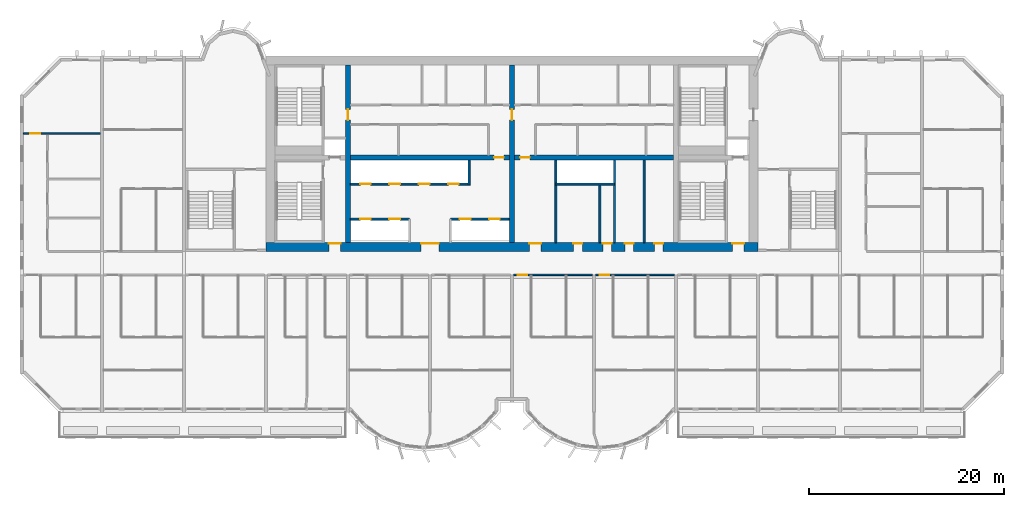
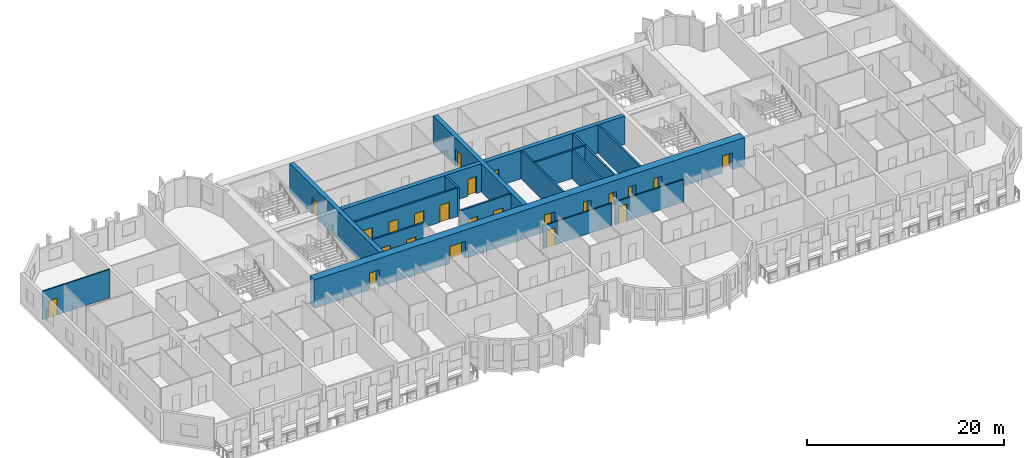
# One storey, part 6 of 15: 23 doors, 17 walls, 23 openings.
"""IFC4 building model written with IfcOpenShell, lengths in metres."""

from ifc_helpers import new_model, si_unit, direction, frame, frame_2d, origin, place, context, subcontext, project, spatial, rectangle, extrude, source, transform, mapped, material, layer, layer_set, type_object, element, fill, save


model = new_model("IFC4")

# Units and contexts
model_context = context("Model", 3, precision=1e-05, world=origin(), true_north=direction((0.0, 1.0)))
body_context = subcontext(model_context, "Body", "Model", "MODEL_VIEW")
ifc_project = project(units=[si_unit("LENGTHUNIT", "METRE"), si_unit("AREAUNIT", "SQUARE_METRE"), si_unit("VOLUMEUNIT", "CUBIC_METRE"), si_unit("PLANEANGLEUNIT", "RADIAN"), si_unit("MASSUNIT", "GRAM", prefix="KILO")], contexts=[model_context])

# Site, building, storey
site_placement = place(None, origin())
site = spatial("IfcSite", under=ifc_project, at=site_placement, CompositionType="ELEMENT")
building_placement = place(site_placement, origin())
building = spatial("IfcBuilding", under=site, at=building_placement, Name="Vanashikhar Sky Hotel", CompositionType="ELEMENT")
storey_placement = place(building_placement, frame((0.0, 0.0, 133.199951171875)))
storey = spatial("IfcBuildingStorey", under=building, at=storey_placement, Name="L32", CompositionType="ELEMENT", Elevation=133.199951171875)

# Wall, openings, doors
ifc_material_1 = material(Name="Concrete M70", Category="concrete")
ifc_layer_1 = layer(ifc_material_1, 0.89990234375)
ifc_layer_set_1 = layer_set([ifc_layer_1], Name="RC core shell wall 900 Concrete M70")
wall_type_1 = type_object("IfcWallType", Name="RC core shell wall 900 Concrete M70", PredefinedType="SHEAR", material=ifc_layer_set_1)
shared_shape_1 = source(origin(), body_context, "Body", "SweptSolid", [
    extrude(rectangle(XDim=50.400146484375, YDim=0.89990234375, at=frame_2d((25.2001953125, 0.0))), origin(), (0.0, 0.0, 1.0), 3.52001953125),
])
wall_1_placement = place(storey_placement, frame((25.199951171875, 22.449951171875, 0.0), z_axis=(0.0, 0.0, 1.0), x_axis=(1.0, 0.0, 0.0)))
wall_1 = element("IfcWall", 1, at=wall_1_placement, inside=storey, type_object=wall_type_1, Name="KW-L32-KS", PredefinedType="SHEAR", context=body_context, shape_type="MappedRepresentation", body=[
    mapped(shared_shape_1, transform((0.0, 0.0, 0.0), scale=1.0)),
])
shared_shape_2 = source(origin(), body_context, "Body", "SweptSolid", [
    extrude(rectangle(XDim=1.800048828125, YDim=2.10009765625, at=frame_2d((0.89990234375, 1.050048828125))), frame((0.0, 0.4599609375, 0.0), z_axis=(0.0, -1.0, 0.0), x_axis=(1.0, 0.0, 0.0)), (0.0, 0.0, 1.0), 0.919921875),
])
opening_1_placement = place(wall_1_placement, frame((15.89990234375, 0.0, 0.0)))
opening_1 = element("IfcOpeningElement", 2, at=opening_1_placement, cuts=wall_1, Name="Opening DC-3-A", PredefinedType="OPENING", context=body_context, shape_type="MappedRepresentation", body=[
    mapped(shared_shape_2, transform((0.0, 0.0, 0.0), scale=1.0)),
])
shared_shape_3 = source(origin(), body_context, "Body", "SweptSolid", [
    extrude(rectangle(XDim=1.199951171875, YDim=2.10009765625, at=frame_2d((0.60009765625, 1.050048828125))), frame((0.0, 0.4599609375, 0.0), z_axis=(0.0, -1.0, 0.0), x_axis=(1.0, 0.0, 0.0)), (0.0, 0.0, 1.0), 0.919921875),
])
opening_2_placement = place(wall_1_placement, frame((26.97509765625, 0.0, 0.0)))
opening_2 = element("IfcOpeningElement", 3, at=opening_2_placement, cuts=wall_1, Name="Opening DC-4-B", PredefinedType="OPENING", context=body_context, shape_type="MappedRepresentation", body=[
    mapped(shared_shape_3, transform((0.0, 0.0, 0.0), scale=1.0)),
])
shared_shape_4 = source(origin(), body_context, "Body", "SweptSolid", [
    extrude(rectangle(XDim=0.89990234375, YDim=2.10009765625, at=frame_2d((0.449951171875, 1.050048828125))), frame((0.0, 0.4599609375, 0.0), z_axis=(0.0, -1.0, 0.0), x_axis=(1.0, 0.0, 0.0)), (0.0, 0.0, 1.0), 0.919921875),
])
opening_3_placement = place(wall_1_placement, frame((34.5, 0.0, 0.0)))
opening_3 = element("IfcOpeningElement", 4, at=opening_3_placement, cuts=wall_1, Name="Opening DC-4-A", PredefinedType="OPENING", context=body_context, shape_type="MappedRepresentation", body=[
    mapped(shared_shape_4, transform((0.0, 0.0, 0.0), scale=1.0)),
])
opening_4_placement = place(wall_1_placement, frame((31.5, 0.0, 0.0)))
opening_4 = element("IfcOpeningElement", 5, at=opening_4_placement, cuts=wall_1, Name="Opening DC-4-A", PredefinedType="OPENING", context=body_context, shape_type="MappedRepresentation", body=[
    mapped(shared_shape_4, transform((0.0, 0.0, 0.0), scale=1.0)),
])
opening_5_placement = place(wall_1_placement, frame((39.7880859375, 0.0, 0.0)))
opening_5 = element("IfcOpeningElement", 6, at=opening_5_placement, cuts=wall_1, Name="Opening DC-4-A", PredefinedType="OPENING", context=body_context, shape_type="MappedRepresentation", body=[
    mapped(shared_shape_4, transform((0.0, 0.0, 0.0), scale=1.0)),
])
opening_6_placement = place(wall_1_placement, frame((36.761962890625, 0.0, 0.0)))
opening_6 = element("IfcOpeningElement", 7, at=opening_6_placement, cuts=wall_1, Name="Opening DC-4-A", PredefinedType="OPENING", context=body_context, shape_type="MappedRepresentation", body=[
    mapped(shared_shape_4, transform((0.0, 0.0, 0.0), scale=1.0)),
])
opening_7_placement = place(wall_1_placement, frame((6.449951171875, 0.0, 0.0)))
opening_7 = element("IfcOpeningElement", 8, at=opening_7_placement, cuts=wall_1, Name="Opening DC-2", PredefinedType="OPENING", context=body_context, shape_type="MappedRepresentation", body=[
    mapped(shared_shape_3, transform((0.0, 0.0, 0.0), scale=1.0)),
])
opening_8_placement = place(wall_1_placement, frame((47.77490234375, 0.0, 0.0)))
opening_8 = element("IfcOpeningElement", 9, at=opening_8_placement, cuts=wall_1, Name="Opening DC-2", PredefinedType="OPENING", context=body_context, shape_type="MappedRepresentation", body=[
    mapped(shared_shape_3, transform((0.0, 0.0, 0.0), scale=1.0)),
])
ifc_material_2 = material(Name="Glass", Category="glass")
door_type_1 = type_object("IfcDoorType", Name="Lift lobby entrance door 1800 FD30S", OperationType="NOTDEFINED", PredefinedType="DOOR", material=ifc_material_2)
shared_shape_5 = source(origin(), body_context, "Body", "SweptSolid", [
    extrude(rectangle(XDim=1.800048828125, YDim=2.10009765625, at=frame_2d((0.89990234375, 1.050048828125))), frame((0.0, 0.375, 0.0), z_axis=(0.0, -1.0, 0.0), x_axis=(1.0, 0.0, 0.0)), (0.0, 0.0, 1.0), 0.050048828125),
])
door_1_placement = place(opening_1_placement, origin())
door_1 = element("IfcDoor", 10, at=door_1_placement, inside=storey, type_object=door_type_1, Name="Lift lobby entrance door 1800 FD30S", OperationType="DOUBLE_DOOR_SINGLE_SWING", OverallHeight=2.10009765625, OverallWidth=1.800048828125, PredefinedType="DOOR", context=body_context, shape_type="MappedRepresentation", body=[
    mapped(shared_shape_5, transform((0.0, 0.0, 0.0), scale=1.0)),
])
fill(opening_1, door_1)
ifc_material_3 = material(Name="Steel", Category="steel")
door_type_2 = type_object("IfcDoorType", Name="Service door 1200 FD60", OperationType="NOTDEFINED", PredefinedType="DOOR", material=ifc_material_3)
shared_shape_6 = source(origin(), body_context, "Body", "SweptSolid", [
    extrude(rectangle(XDim=1.199951171875, YDim=2.10009765625, at=frame_2d((0.60009765625, 1.050048828125))), frame((0.0, 0.375, 0.0), z_axis=(0.0, -1.0, 0.0), x_axis=(1.0, 0.0, 0.0)), (0.0, 0.0, 1.0), 0.050048828125),
])
door_2_placement = place(opening_2_placement, origin())
door_2 = element("IfcDoor", 11, at=door_2_placement, inside=storey, type_object=door_type_2, Name="Service door 1200 FD60", OperationType="SINGLE_SWING_LEFT", OverallHeight=2.10009765625, OverallWidth=1.199951171875, PredefinedType="DOOR", context=body_context, shape_type="MappedRepresentation", body=[
    mapped(shared_shape_6, transform((0.0, 0.0, 0.0), scale=1.0)),
])
fill(opening_2, door_2)
door_type_3 = type_object("IfcDoorType", Name="Firefighting lobby door 1200 FD120", OperationType="NOTDEFINED", PredefinedType="DOOR", material=ifc_material_3)
door_3_placement = place(opening_7_placement, origin())
door_3 = element("IfcDoor", 12, at=door_3_placement, inside=storey, type_object=door_type_3, Name="Firefighting lobby door 1200 FD120", OperationType="SINGLE_SWING_LEFT", OverallHeight=2.10009765625, OverallWidth=1.199951171875, PredefinedType="DOOR", context=body_context, shape_type="MappedRepresentation", body=[
    mapped(shared_shape_6, transform((0.0, 0.0, 0.0), scale=1.0)),
])
fill(opening_7, door_3)
door_4_placement = place(opening_8_placement, origin())
door_4 = element("IfcDoor", 13, at=door_4_placement, inside=storey, type_object=door_type_3, Name="Firefighting lobby door 1200 FD120", OperationType="SINGLE_SWING_LEFT", OverallHeight=2.10009765625, OverallWidth=1.199951171875, PredefinedType="DOOR", context=body_context, shape_type="MappedRepresentation", body=[
    mapped(shared_shape_6, transform((0.0, 0.0, 0.0), scale=1.0)),
])
fill(opening_8, door_4)
door_type_4 = type_object("IfcDoorType", Name="Service door 900 FD60", OperationType="NOTDEFINED", PredefinedType="DOOR", material=ifc_material_3)
shared_shape_7 = source(origin(), body_context, "Body", "SweptSolid", [
    extrude(rectangle(XDim=0.89990234375, YDim=2.10009765625, at=frame_2d((0.449951171875, 1.050048828125))), frame((0.0, 0.375, 0.0), z_axis=(0.0, -1.0, 0.0), x_axis=(1.0, 0.0, 0.0)), (0.0, 0.0, 1.0), 0.050048828125),
])
door_5_placement = place(opening_3_placement, origin())
door_5 = element("IfcDoor", 14, at=door_5_placement, inside=storey, type_object=door_type_4, Name="Service door 900 FD60", OperationType="SINGLE_SWING_LEFT", OverallHeight=2.10009765625, OverallWidth=0.89990234375, PredefinedType="DOOR", context=body_context, shape_type="MappedRepresentation", body=[
    mapped(shared_shape_7, transform((0.0, 0.0, 0.0), scale=1.0)),
])
fill(opening_3, door_5)
door_6_placement = place(opening_4_placement, origin())
door_6 = element("IfcDoor", 15, at=door_6_placement, inside=storey, type_object=door_type_4, Name="Service door 900 FD60", OperationType="SINGLE_SWING_RIGHT", OverallHeight=2.10009765625, OverallWidth=0.89990234375, PredefinedType="DOOR", context=body_context, shape_type="MappedRepresentation", body=[
    mapped(shared_shape_7, transform((0.0, 0.0, 0.0), scale=1.0)),
])
fill(opening_4, door_6)
door_7_placement = place(opening_5_placement, origin())
door_7 = element("IfcDoor", 16, at=door_7_placement, inside=storey, type_object=door_type_4, Name="Service door 900 FD60", OperationType="SINGLE_SWING_LEFT", OverallHeight=2.10009765625, OverallWidth=0.89990234375, PredefinedType="DOOR", context=body_context, shape_type="MappedRepresentation", body=[
    mapped(shared_shape_7, transform((0.0, 0.0, 0.0), scale=1.0)),
])
fill(opening_5, door_7)
door_8_placement = place(opening_6_placement, origin())
door_8 = element("IfcDoor", 17, at=door_8_placement, inside=storey, type_object=door_type_4, Name="Service door 900 FD60", OperationType="SINGLE_SWING_RIGHT", OverallHeight=2.10009765625, OverallWidth=0.89990234375, PredefinedType="DOOR", context=body_context, shape_type="MappedRepresentation", body=[
    mapped(shared_shape_7, transform((0.0, 0.0, 0.0), scale=1.0)),
])
fill(opening_6, door_8)

# Wall, opening, door
ifc_layer_2 = layer(ifc_material_1, 0.5)
ifc_layer_set_2 = layer_set([ifc_layer_2], Name="RC core inner wall 500 Concrete M70")
wall_type_2 = type_object("IfcWallType", Name="RC core inner wall 500 Concrete M70", PredefinedType="SHEAR", material=ifc_layer_set_2)
shared_shape_8 = source(origin(), body_context, "Body", "SweptSolid", [
    extrude(rectangle(XDim=18.2001953125, YDim=0.5, at=frame_2d((9.10009765625, 0.0))), origin(), (0.0, 0.0, 1.0), 3.52001953125),
])
wall_2_placement = place(storey_placement, frame((33.60009765625, 22.89990234375, 0.0), z_axis=(0.0, 0.0, 1.0), x_axis=(0.0, 1.0, 0.0)))
wall_2 = element("IfcWall", 18, at=wall_2_placement, inside=storey, type_object=wall_type_2, Name="KW-L32-KX1", PredefinedType="SHEAR", context=body_context, shape_type="MappedRepresentation", body=[
    mapped(shared_shape_8, transform((0.0, 0.0, 0.0), scale=1.0)),
])
shared_shape_9 = source(origin(), body_context, "Body", "SweptSolid", [
    extrude(rectangle(XDim=1.10009765625, YDim=2.10009765625, at=frame_2d((0.550048828125, 1.050048828125))), frame((0.0, 0.260009765625, 0.0), z_axis=(0.0, -1.0, 0.0), x_axis=(1.0, 0.0, 0.0)), (0.0, 0.0, 1.0), 0.52001953125),
])
opening_9_placement = place(wall_2_placement, frame((12.550048828125, 0.0, 0.0)))
opening_9 = element("IfcOpeningElement", 19, at=opening_9_placement, cuts=wall_2, Name="Opening DC-4-C", PredefinedType="OPENING", context=body_context, shape_type="MappedRepresentation", body=[
    mapped(shared_shape_9, transform((0.0, 0.0, 0.0), scale=1.0)),
])
door_type_5 = type_object("IfcDoorType", Name="Service door 1100 FD60", OperationType="NOTDEFINED", PredefinedType="DOOR", material=ifc_material_3)
shared_shape_10 = source(origin(), body_context, "Body", "SweptSolid", [
    extrude(rectangle(XDim=1.10009765625, YDim=2.10009765625, at=frame_2d((0.550048828125, 1.050048828125))), frame((0.0, 0.02490234375, 0.0), z_axis=(0.0, -1.0, 0.0), x_axis=(1.0, 0.0, 0.0)), (0.0, 0.0, 1.0), 0.050048828125),
])
door_9_placement = place(opening_9_placement, origin())
door_9 = element("IfcDoor", 20, at=door_9_placement, inside=storey, type_object=door_type_5, Name="Service door 1100 FD60", OperationType="SINGLE_SWING_LEFT", OverallHeight=2.10009765625, OverallWidth=1.10009765625, PredefinedType="DOOR", context=body_context, shape_type="MappedRepresentation", body=[
    mapped(shared_shape_10, transform((0.0, 0.0, 0.0), scale=1.0)),
])
fill(opening_9, door_9)

wall_3_placement = place(storey_placement, frame((50.39990234375, 22.89990234375, 0.0), z_axis=(0.0, 0.0, 1.0), x_axis=(0.0, 1.0, 0.0)))
wall_3 = element("IfcWall", 21, at=wall_3_placement, inside=storey, type_object=wall_type_2, Name="KW-L32-KX2", PredefinedType="SHEAR", context=body_context, shape_type="MappedRepresentation", body=[
    mapped(shared_shape_8, transform((0.0, 0.0, 0.0), scale=1.0)),
])
opening_10_placement = place(wall_3_placement, frame((12.550048828125, 0.0, 0.0)))
opening_10 = element("IfcOpeningElement", 22, at=opening_10_placement, cuts=wall_3, Name="Opening DC-4-C", PredefinedType="OPENING", context=body_context, shape_type="MappedRepresentation", body=[
    mapped(shared_shape_9, transform((0.0, 0.0, 0.0), scale=1.0)),
])
door_10_placement = place(opening_10_placement, origin())
door_10 = element("IfcDoor", 23, at=door_10_placement, inside=storey, type_object=door_type_5, Name="Service door 1100 FD60", OperationType="SINGLE_SWING_RIGHT", OverallHeight=2.10009765625, OverallWidth=1.10009765625, PredefinedType="DOOR", context=body_context, shape_type="MappedRepresentation", body=[
    mapped(shared_shape_10, transform((0.0, 0.0, 0.0), scale=1.0)),
])
fill(opening_10, door_10)

shared_shape_11 = source(origin(), body_context, "Body", "SweptSolid", [
    extrude(rectangle(XDim=16.2998046875, YDim=0.5, at=frame_2d((8.14990234375, 0.0))), origin(), (0.0, 0.0, 1.0), 3.52001953125),
])
wall_4_placement = place(storey_placement, frame((33.85009765625, 31.60009765625, 0.0), z_axis=(0.0, 0.0, 1.0), x_axis=(1.0, 0.0, 0.0)))
wall_4 = element("IfcWall", 24, at=wall_4_placement, inside=storey, type_object=wall_type_2, Name="KW-L32-KY2", PredefinedType="SHEAR", context=body_context, shape_type="MappedRepresentation", body=[
    mapped(shared_shape_11, transform((0.0, 0.0, 0.0), scale=1.0)),
])
shared_shape_12 = source(origin(), body_context, "Body", "SweptSolid", [
    extrude(rectangle(XDim=1.0, YDim=2.10009765625, at=frame_2d((0.5, 1.050048828125))), frame((0.0, 0.260009765625, 0.0), z_axis=(0.0, -1.0, 0.0), x_axis=(1.0, 0.0, 0.0)), (0.0, 0.0, 1.0), 0.52001953125),
])
opening_11_placement = place(wall_4_placement, frame((14.72509765625, 0.0, 0.0)))
opening_11 = element("IfcOpeningElement", 25, at=opening_11_placement, cuts=wall_4, Name="Opening DC-4", PredefinedType="OPENING", context=body_context, shape_type="MappedRepresentation", body=[
    mapped(shared_shape_12, transform((0.0, 0.0, 0.0), scale=1.0)),
])
door_type_6 = type_object("IfcDoorType", Name="Service door 1000 FD60", OperationType="NOTDEFINED", PredefinedType="DOOR", material=ifc_material_3)
shared_shape_13 = source(origin(), body_context, "Body", "SweptSolid", [
    extrude(rectangle(XDim=1.0, YDim=2.10009765625, at=frame_2d((0.5, 1.050048828125))), frame((0.0, 0.02490234375, 0.0), z_axis=(0.0, -1.0, 0.0), x_axis=(1.0, 0.0, 0.0)), (0.0, 0.0, 1.0), 0.050048828125),
])
door_11_placement = place(opening_11_placement, origin())
door_11 = element("IfcDoor", 26, at=door_11_placement, inside=storey, type_object=door_type_6, Name="Service door 1000 FD60", OperationType="SINGLE_SWING_LEFT", OverallHeight=2.10009765625, OverallWidth=1.0, PredefinedType="DOOR", context=body_context, shape_type="MappedRepresentation", body=[
    mapped(shared_shape_13, transform((0.0, 0.0, 0.0), scale=1.0)),
])
fill(opening_11, door_11)

shared_shape_14 = source(origin(), body_context, "Body", "SweptSolid", [
    extrude(rectangle(XDim=16.300048828125, YDim=0.5, at=frame_2d((8.14990234375, 0.0))), origin(), (0.0, 0.0, 1.0), 3.52001953125),
])
wall_5_placement = place(storey_placement, frame((50.64990234375, 31.60009765625, 0.0), z_axis=(0.0, 0.0, 1.0), x_axis=(1.0, 0.0, 0.0)))
wall_5 = element("IfcWall", 27, at=wall_5_placement, inside=storey, type_object=wall_type_2, Name="KW-L32-KY3", PredefinedType="SHEAR", context=body_context, shape_type="MappedRepresentation", body=[
    mapped(shared_shape_14, transform((0.0, 0.0, 0.0), scale=1.0)),
])
opening_12_placement = place(wall_5_placement, frame((0.574951171875, 0.0, 0.0)))
opening_12 = element("IfcOpeningElement", 28, at=opening_12_placement, cuts=wall_5, Name="Opening DC-4", PredefinedType="OPENING", context=body_context, shape_type="MappedRepresentation", body=[
    mapped(shared_shape_12, transform((0.0, 0.0, 0.0), scale=1.0)),
])
door_12_placement = place(opening_12_placement, origin())
door_12 = element("IfcDoor", 29, at=door_12_placement, inside=storey, type_object=door_type_6, Name="Service door 1000 FD60", OperationType="SINGLE_SWING_LEFT", OverallHeight=2.10009765625, OverallWidth=1.0, PredefinedType="DOOR", context=body_context, shape_type="MappedRepresentation", body=[
    mapped(shared_shape_13, transform((0.0, 0.0, 0.0), scale=1.0)),
])
fill(opening_12, door_12)

# Wall, openings, doors
ifc_material_4 = material(Name="Concrete M40", Category="concrete")
ifc_layer_3 = layer(ifc_material_4, 0.199951171875)
ifc_layer_set_3 = layer_set([ifc_layer_3], Name="Shaft wall 200")
wall_type_3 = type_object("IfcWallType", Name="Shaft wall 200", PredefinedType="SOLIDWALL", material=ifc_layer_set_3)
shared_shape_15 = source(origin(), body_context, "Body", "SweptSolid", [
    extrude(rectangle(XDim=6.0, YDim=0.199951171875, at=frame_2d((3.0, 0.0))), origin(), (0.0, 0.0, 1.0), 3.52001953125),
])
wall_6_placement = place(storey_placement, frame((44.10009765625, 25.300048828125, 0.0), z_axis=(0.0, 0.0, 1.0), x_axis=(1.0, 0.0, 0.0)))
wall_6 = element("IfcWall", 30, at=wall_6_placement, inside=storey, type_object=wall_type_3, Name="Shaft wall 200", PredefinedType="SOLIDWALL", context=body_context, shape_type="MappedRepresentation", body=[
    mapped(shared_shape_15, transform((0.0, 0.0, 0.0), scale=1.0)),
])
shared_shape_16 = source(origin(), body_context, "Body", "SweptSolid", [
    extrude(rectangle(XDim=1.10009765625, YDim=2.10009765625, at=frame_2d((0.550048828125, 1.050048828125))), frame((0.0, 0.10986328125, 0.0), z_axis=(0.0, -1.0, 0.0), x_axis=(1.0, 0.0, 0.0)), (0.0, 0.0, 1.0), 0.219970703125),
])
opening_13_placement = place(wall_6_placement, frame((0.949951171875, 0.0, 0.0)))
opening_13 = element("IfcOpeningElement", 31, at=opening_13_placement, cuts=wall_6, Name="Opening LD", PredefinedType="OPENING", context=body_context, shape_type="MappedRepresentation", body=[
    mapped(shared_shape_16, transform((0.0, 0.0, 0.0), scale=1.0)),
])
opening_14_placement = place(wall_6_placement, frame((3.949951171875, 0.0, 0.0)))
opening_14 = element("IfcOpeningElement", 32, at=opening_14_placement, cuts=wall_6, Name="Opening LD", PredefinedType="OPENING", context=body_context, shape_type="MappedRepresentation", body=[
    mapped(shared_shape_16, transform((0.0, 0.0, 0.0), scale=1.0)),
])
ifc_material_5 = material(Name="Stainless steel", Category="steel")
door_type_7 = type_object("IfcDoorType", Name="Lift landing door 1100", OperationType="NOTDEFINED", PredefinedType="DOOR", material=ifc_material_5)
door_13_placement = place(opening_13_placement, origin())
door_13 = element("IfcDoor", 33, at=door_13_placement, inside=storey, type_object=door_type_7, Name="Lift landing door 1100", OperationType="SLIDING_TO_LEFT", OverallHeight=2.10009765625, OverallWidth=1.10009765625, PredefinedType="DOOR", context=body_context, shape_type="MappedRepresentation", body=[
    mapped(shared_shape_10, transform((0.0, 0.0, 0.0), scale=1.0)),
])
fill(opening_13, door_13)
door_14_placement = place(opening_14_placement, origin())
door_14 = element("IfcDoor", 34, at=door_14_placement, inside=storey, type_object=door_type_7, Name="Lift landing door 1100", OperationType="SLIDING_TO_RIGHT", OverallHeight=2.10009765625, OverallWidth=1.10009765625, PredefinedType="DOOR", context=body_context, shape_type="MappedRepresentation", body=[
    mapped(shared_shape_10, transform((0.0, 0.0, 0.0), scale=1.0)),
])
fill(opening_14, door_14)

# Walls
wall_7_placement = place(storey_placement, frame((60.89990234375, 28.89990234375, 0.0), z_axis=(0.0, 0.0, 1.0), x_axis=(-1.0, 0.0, 0.0)))
element("IfcWall", 35, at=wall_7_placement, inside=storey, type_object=wall_type_3, Name="Shaft wall 200", PredefinedType="SOLIDWALL", context=body_context, shape_type="MappedRepresentation", body=[
    mapped(shared_shape_15, transform((0.0, 0.0, 0.0), scale=1.0)),
])
ifc_material_6 = material(Name="Gypsum board partition")
ifc_layer_4 = layer(ifc_material_6, 0.14990234375)
ifc_layer_set_4 = layer_set([ifc_layer_4], Name="Service partition 150")
wall_type_4 = type_object("IfcWallType", Name="Service partition 150", PredefinedType="PARTITIONING", material=ifc_layer_set_4)
wall_8_placement = place(storey_placement, frame((59.39990234375, 22.89990234375, 0.0), z_axis=(0.0, 0.0, 1.0), x_axis=(0.0, 1.0, 0.0)))
element("IfcWall", 36, at=wall_8_placement, inside=storey, type_object=wall_type_4, Name="Service partition 150", PredefinedType="PARTITIONING", context=body_context, shape_type="MappedRepresentation", body=[
    mapped(shared_shape_15, transform((0.0, 0.0, 0.0), scale=1.0)),
])

# Wall, openings, doors
shared_shape_17 = source(origin(), body_context, "Body", "SweptSolid", [
    extrude(rectangle(XDim=6.0498046875, YDim=0.199951171875, at=frame_2d((3.02490234375, 0.0))), origin(), (0.0, 0.0, 1.0), 3.52001953125),
])
wall_9_placement = place(storey_placement, frame((33.85009765625, 25.300048828125, 0.0), z_axis=(0.0, 0.0, 1.0), x_axis=(1.0, 0.0, 0.0)))
wall_9 = element("IfcWall", 37, at=wall_9_placement, inside=storey, type_object=wall_type_3, Name="Shaft wall 200", PredefinedType="SOLIDWALL", context=body_context, shape_type="MappedRepresentation", body=[
    mapped(shared_shape_17, transform((0.0, 0.0, 0.0), scale=1.0)),
])
opening_15_placement = place(wall_9_placement, frame((1.0, 0.0, 0.0)))
opening_15 = element("IfcOpeningElement", 38, at=opening_15_placement, cuts=wall_9, Name="Opening LD", PredefinedType="OPENING", context=body_context, shape_type="MappedRepresentation", body=[
    mapped(shared_shape_16, transform((0.0, 0.0, 0.0), scale=1.0)),
])
opening_16_placement = place(wall_9_placement, frame((4.0, 0.0, 0.0)))
opening_16 = element("IfcOpeningElement", 39, at=opening_16_placement, cuts=wall_9, Name="Opening LD", PredefinedType="OPENING", context=body_context, shape_type="MappedRepresentation", body=[
    mapped(shared_shape_16, transform((0.0, 0.0, 0.0), scale=1.0)),
])
door_15_placement = place(opening_15_placement, origin())
door_15 = element("IfcDoor", 40, at=door_15_placement, inside=storey, type_object=door_type_7, Name="Lift landing door 1100", OperationType="SLIDING_TO_LEFT", OverallHeight=2.10009765625, OverallWidth=1.10009765625, PredefinedType="DOOR", context=body_context, shape_type="MappedRepresentation", body=[
    mapped(shared_shape_10, transform((0.0, 0.0, 0.0), scale=1.0)),
])
fill(opening_15, door_15)
door_16_placement = place(opening_16_placement, origin())
door_16 = element("IfcDoor", 41, at=door_16_placement, inside=storey, type_object=door_type_7, Name="Lift landing door 1100", OperationType="SLIDING_TO_RIGHT", OverallHeight=2.10009765625, OverallWidth=1.10009765625, PredefinedType="DOOR", context=body_context, shape_type="MappedRepresentation", body=[
    mapped(shared_shape_10, transform((0.0, 0.0, 0.0), scale=1.0)),
])
fill(opening_16, door_16)

shared_shape_18 = source(origin(), body_context, "Body", "SweptSolid", [
    extrude(rectangle(XDim=12.0498046875, YDim=0.199951171875, at=frame_2d((6.02490234375, 0.0))), origin(), (0.0, 0.0, 1.0), 3.52001953125),
])
wall_10_placement = place(storey_placement, frame((33.85009765625, 28.89990234375, 0.0), z_axis=(0.0, 0.0, 1.0), x_axis=(1.0, 0.0, 0.0)))
wall_10 = element("IfcWall", 42, at=wall_10_placement, inside=storey, type_object=wall_type_3, Name="Shaft wall 200", PredefinedType="SOLIDWALL", context=body_context, shape_type="MappedRepresentation", body=[
    mapped(shared_shape_18, transform((0.0, 0.0, 0.0), scale=1.0)),
])
opening_17_placement = place(wall_10_placement, frame((1.0, 0.0, 0.0)))
opening_17 = element("IfcOpeningElement", 43, at=opening_17_placement, cuts=wall_10, Name="Opening LD", PredefinedType="OPENING", context=body_context, shape_type="MappedRepresentation", body=[
    mapped(shared_shape_16, transform((0.0, 0.0, 0.0), scale=1.0)),
])
opening_18_placement = place(wall_10_placement, frame((4.0, 0.0, 0.0)))
opening_18 = element("IfcOpeningElement", 44, at=opening_18_placement, cuts=wall_10, Name="Opening LD", PredefinedType="OPENING", context=body_context, shape_type="MappedRepresentation", body=[
    mapped(shared_shape_16, transform((0.0, 0.0, 0.0), scale=1.0)),
])
opening_19_placement = place(wall_10_placement, frame((7.0, 0.0, 0.0)))
opening_19 = element("IfcOpeningElement", 45, at=opening_19_placement, cuts=wall_10, Name="Opening LD", PredefinedType="OPENING", context=body_context, shape_type="MappedRepresentation", body=[
    mapped(shared_shape_16, transform((0.0, 0.0, 0.0), scale=1.0)),
])
opening_20_placement = place(wall_10_placement, frame((10.0, 0.0, 0.0)))
opening_20 = element("IfcOpeningElement", 46, at=opening_20_placement, cuts=wall_10, Name="Opening LD", PredefinedType="OPENING", context=body_context, shape_type="MappedRepresentation", body=[
    mapped(shared_shape_16, transform((0.0, 0.0, 0.0), scale=1.0)),
])
door_17_placement = place(opening_17_placement, origin())
door_17 = element("IfcDoor", 47, at=door_17_placement, inside=storey, type_object=door_type_7, Name="Lift landing door 1100", OperationType="SLIDING_TO_LEFT", OverallHeight=2.10009765625, OverallWidth=1.10009765625, PredefinedType="DOOR", context=body_context, shape_type="MappedRepresentation", body=[
    mapped(shared_shape_10, transform((0.0, 0.0, 0.0), scale=1.0)),
])
fill(opening_17, door_17)
door_18_placement = place(opening_18_placement, origin())
door_18 = element("IfcDoor", 48, at=door_18_placement, inside=storey, type_object=door_type_7, Name="Lift landing door 1100", OperationType="SLIDING_TO_RIGHT", OverallHeight=2.10009765625, OverallWidth=1.10009765625, PredefinedType="DOOR", context=body_context, shape_type="MappedRepresentation", body=[
    mapped(shared_shape_10, transform((0.0, 0.0, 0.0), scale=1.0)),
])
fill(opening_18, door_18)
door_19_placement = place(opening_19_placement, origin())
door_19 = element("IfcDoor", 49, at=door_19_placement, inside=storey, type_object=door_type_7, Name="Lift landing door 1100", OperationType="SLIDING_TO_LEFT", OverallHeight=2.10009765625, OverallWidth=1.10009765625, PredefinedType="DOOR", context=body_context, shape_type="MappedRepresentation", body=[
    mapped(shared_shape_10, transform((0.0, 0.0, 0.0), scale=1.0)),
])
fill(opening_19, door_19)
door_20_placement = place(opening_20_placement, origin())
door_20 = element("IfcDoor", 50, at=door_20_placement, inside=storey, type_object=door_type_7, Name="Lift landing door 1100", OperationType="SLIDING_TO_RIGHT", OverallHeight=2.10009765625, OverallWidth=1.10009765625, PredefinedType="DOOR", context=body_context, shape_type="MappedRepresentation", body=[
    mapped(shared_shape_10, transform((0.0, 0.0, 0.0), scale=1.0)),
])
fill(opening_20, door_20)

# Walls
shared_shape_19 = source(origin(), body_context, "Body", "SweptSolid", [
    extrude(rectangle(XDim=2.550048828125, YDim=0.199951171875, at=frame_2d((1.27490234375, 0.0))), origin(), (0.0, 0.0, 1.0), 3.52001953125),
])
wall_11_placement = place(storey_placement, frame((46.0, 28.800048828125, 0.0), z_axis=(0.0, 0.0, 1.0), x_axis=(0.0, 1.0, 0.0)))
element("IfcWall", 51, at=wall_11_placement, inside=storey, type_object=wall_type_3, Name="Shaft wall 200", PredefinedType="SOLIDWALL", context=body_context, shape_type="MappedRepresentation", body=[
    mapped(shared_shape_19, transform((0.0, 0.0, 0.0), scale=1.0)),
])
shared_shape_20 = source(origin(), body_context, "Body", "SweptSolid", [
    extrude(rectangle(XDim=8.4501953125, YDim=0.199951171875, at=frame_2d((4.22509765625, 0.0))), origin(), (0.0, 0.0, 1.0), 3.52001953125),
])
for number, where, z_axis, x_axis, name in (
    (52, (54.89990234375, 22.89990234375, 0.0), (0.0, 0.0, 1.0), (0.0, 1.0, 0.0), "Service partition 150"),
    (53, (60.89990234375, 22.89990234375, 0.0), (0.0, 0.0, 1.0), (0.0, 1.0, 0.0), "Service partition 150"),
    (54, (63.925048828125, 22.89990234375, 0.0), (0.0, 0.0, 1.0), (0.0, 1.0, 0.0), "Service partition 150"),
):
    element("IfcWall", number, at=place(storey_placement, frame(where, z_axis=z_axis, x_axis=x_axis)), inside=storey, type_object=wall_type_4, Name=name, PredefinedType="PARTITIONING", context=body_context, shape_type="MappedRepresentation", body=[
        mapped(shared_shape_20, transform((0.0, 0.0, 0.0), scale=1.0)),
    ])

# Wall, opening, door
ifc_material_7 = material(Name="Gypsum plasterboard partition")
ifc_layer_5 = layer(ifc_material_7, 0.14990234375)
ifc_layer_set_5 = layer_set([ifc_layer_5], Name="Corridor and demising partition 150")
wall_type_5 = type_object("IfcWallType", Name="Corridor and demising partition 150", PredefinedType="PARTITIONING", material=ifc_layer_set_5)
shared_shape_21 = source(origin(), body_context, "Body", "SweptSolid", [
    extrude(rectangle(XDim=8.050048828125, YDim=0.14990234375, at=frame_2d((4.02490234375, 0.0))), origin(), (0.0, 0.0, 1.0), 2.820068359375),
])
wall_12_placement = place(storey_placement, frame((50.574951171875, 19.60009765625, 0.0), z_axis=(0.0, 0.0, 1.0), x_axis=(1.0, 0.0, 0.0)))
wall_12 = element("IfcWall", 55, at=wall_12_placement, inside=storey, type_object=wall_type_5, Name="W-L32-PW040", PredefinedType="PARTITIONING", context=body_context, shape_type="MappedRepresentation", body=[
    mapped(shared_shape_21, transform((0.0, 0.0, 0.0), scale=1.0)),
])
shared_shape_22 = source(origin(), body_context, "Body", "SweptSolid", [
    extrude(rectangle(XDim=1.0, YDim=2.10009765625, at=frame_2d((0.5, 1.050048828125))), frame((0.0, 0.0849609375, 0.0), z_axis=(0.0, -1.0, 0.0), x_axis=(1.0, 0.0, 0.0)), (0.0, 0.0, 1.0), 0.169921875),
])
opening_21_placement = place(wall_12_placement, frame((0.39990234375, 0.0, 0.0)))
opening_21 = element("IfcOpeningElement", 56, at=opening_21_placement, cuts=wall_12, Name="Opening D-01", PredefinedType="OPENING", context=body_context, shape_type="MappedRepresentation", body=[
    mapped(shared_shape_22, transform((0.0, 0.0, 0.0), scale=1.0)),
])
ifc_material_8 = material(Name="Timber fire door", Category="wood")
door_type_8 = type_object("IfcDoorType", Name="Guest entry door 1000 FD30S", OperationType="NOTDEFINED", PredefinedType="DOOR", material=ifc_material_8)
door_21_placement = place(opening_21_placement, origin())
door_21 = element("IfcDoor", 57, at=door_21_placement, inside=storey, type_object=door_type_8, Name="D-L32-025", OperationType="SINGLE_SWING_LEFT", OverallHeight=2.10009765625, OverallWidth=1.0, PredefinedType="DOOR", context=body_context, shape_type="MappedRepresentation", body=[
    mapped(shared_shape_13, transform((0.0, 0.0, 0.0), scale=1.0)),
])
fill(opening_21, door_21)

shared_shape_23 = source(origin(), body_context, "Body", "SweptSolid", [
    extrude(rectangle(XDim=8.0498046875, YDim=0.14990234375, at=frame_2d((4.02490234375, 0.0))), origin(), (0.0, 0.0, 1.0), 2.820068359375),
])
wall_13_placement = place(storey_placement, frame((58.97509765625, 19.60009765625, 0.0), z_axis=(0.0, 0.0, 1.0), x_axis=(1.0, 0.0, 0.0)))
wall_13 = element("IfcWall", 58, at=wall_13_placement, inside=storey, type_object=wall_type_5, Name="W-L32-PW046", PredefinedType="PARTITIONING", context=body_context, shape_type="MappedRepresentation", body=[
    mapped(shared_shape_23, transform((0.0, 0.0, 0.0), scale=1.0)),
])
opening_22_placement = place(wall_13_placement, frame((0.39990234375, 0.0, 0.0)))
opening_22 = element("IfcOpeningElement", 59, at=opening_22_placement, cuts=wall_13, Name="Opening D-01", PredefinedType="OPENING", context=body_context, shape_type="MappedRepresentation", body=[
    mapped(shared_shape_22, transform((0.0, 0.0, 0.0), scale=1.0)),
])
door_22_placement = place(opening_22_placement, origin())
door_22 = element("IfcDoor", 60, at=door_22_placement, inside=storey, type_object=door_type_8, Name="D-L32-029", OperationType="SINGLE_SWING_LEFT", OverallHeight=2.10009765625, OverallWidth=1.0, PredefinedType="DOOR", context=body_context, shape_type="MappedRepresentation", body=[
    mapped(shared_shape_13, transform((0.0, 0.0, 0.0), scale=1.0)),
])
fill(opening_22, door_22)

shared_shape_24 = source(origin(), body_context, "Body", "SweptSolid", [
    extrude(rectangle(XDim=7.875, YDim=0.14990234375, at=frame_2d((3.9375, 0.0))), origin(), (0.0, 0.0, 1.0), 3.52001953125),
])
wall_14_placement = place(storey_placement, frame((0.35009765625, 34.074951171875, 0.0), z_axis=(0.0, 0.0, 1.0), x_axis=(1.0, 0.0, 0.0)))
wall_14 = element("IfcWall", 61, at=wall_14_placement, inside=storey, type_object=wall_type_5, Name="W-L32-PW078", PredefinedType="PARTITIONING", context=body_context, shape_type="MappedRepresentation", body=[
    mapped(shared_shape_24, transform((0.0, 0.0, 0.0), scale=1.0)),
])
opening_23_placement = place(wall_14_placement, frame((0.699951171875, 0.0, 0.0)))
opening_23 = element("IfcOpeningElement", 62, at=opening_23_placement, cuts=wall_14, Name="Opening D-01", PredefinedType="OPENING", context=body_context, shape_type="MappedRepresentation", body=[
    mapped(shared_shape_22, transform((0.0, 0.0, 0.0), scale=1.0)),
])
door_23_placement = place(opening_23_placement, origin())
door_23 = element("IfcDoor", 63, at=door_23_placement, inside=storey, type_object=door_type_8, Name="D-L32-048", OperationType="SINGLE_SWING_LEFT", OverallHeight=2.10009765625, OverallWidth=1.0, PredefinedType="DOOR", context=body_context, shape_type="MappedRepresentation", body=[
    mapped(shared_shape_13, transform((0.0, 0.0, 0.0), scale=1.0)),
])
fill(opening_23, door_23)

save(model, "model.ifc")
